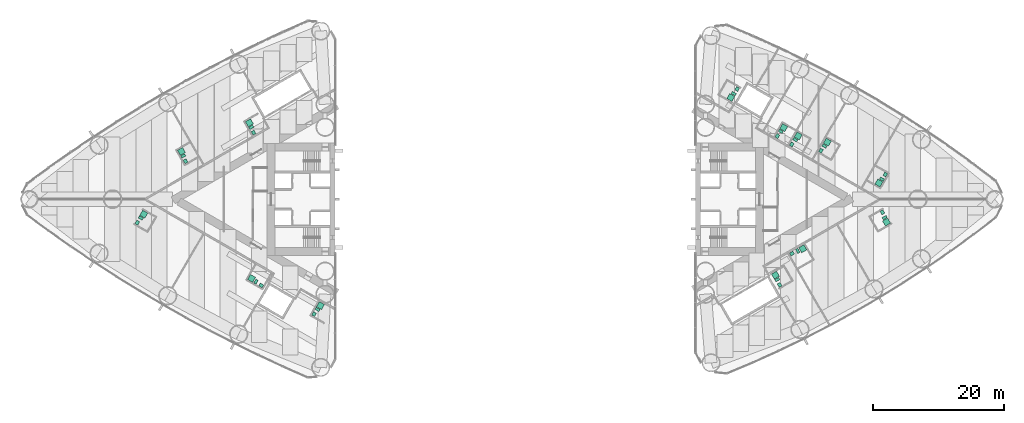
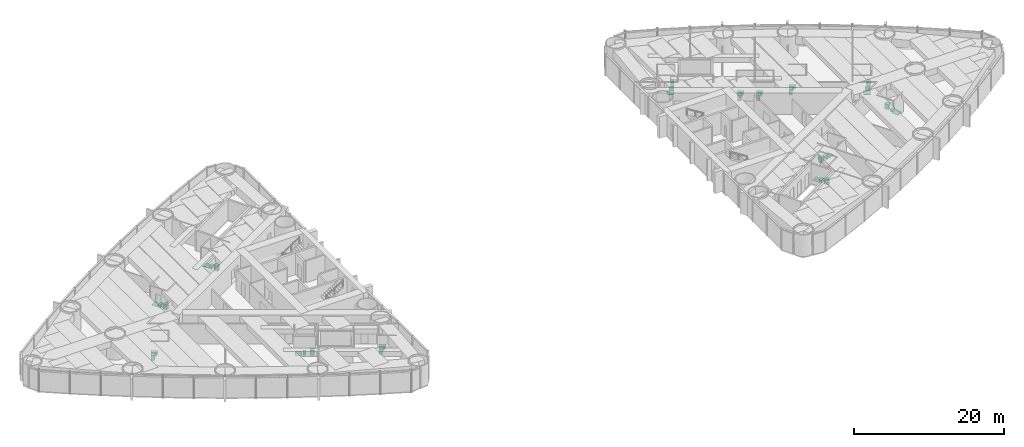
# One storey, part 19 of 19: 17 sanitary terminals.
"""IFC4 building model written with IfcOpenShell, lengths in metres."""

from ifc_helpers import new_model, si_unit, direction, frame, origin, origin_2d, place, context, subcontext, project, spatial, rectangle, extrude, material, type_object, element, save


model = new_model("IFC4")

# Units and contexts
model_context = context("Model", 3, precision=1e-05, world=origin(), true_north=direction((0.0, 1.0)))
body_context = subcontext(model_context, "Body", "Model", "MODEL_VIEW")
ifc_project = project(units=[si_unit("LENGTHUNIT", "METRE"), si_unit("AREAUNIT", "SQUARE_METRE"), si_unit("VOLUMEUNIT", "CUBIC_METRE"), si_unit("PLANEANGLEUNIT", "RADIAN"), si_unit("MASSUNIT", "GRAM", prefix="KILO")], contexts=[model_context])

# Site, building, storey
site_placement = place(None, origin())
site = spatial("IfcSite", under=ifc_project, at=site_placement, CompositionType="ELEMENT")
building_placement = place(site_placement, origin())
building = spatial("IfcBuilding", under=site, at=building_placement, Name="Lancet Gate Hotel", CompositionType="ELEMENT")
storey_placement = place(building_placement, frame((0.0, 0.0, 39.0)))
storey = spatial("IfcBuildingStorey", under=building, at=storey_placement, Name="L09", CompositionType="ELEMENT", Elevation=39.0)

# Sanitary terminals
ifc_material_1 = material(Name="Vitreous china sanitary ware")
sanitary_terminal_type_1 = type_object("IfcSanitaryTerminalType", Name="En-suite sanitary set (shower, WC, basin)", PredefinedType="USERDEFINED", material=ifc_material_1)
sanitary_terminal_1_placement = place(storey_placement, frame((-50.99169921875, 7.2958984375, 0.0), z_axis=(0.0, 0.0, 1.0), x_axis=(1.0, 0.0, 0.0)))
element("IfcSanitaryTerminal", 1, at=sanitary_terminal_1_placement, inside=storey, type_object=sanitary_terminal_type_1, Name="En-suite sanitary set (shower, WC, basin) 0903", ObjectType="EN-SUITE SANITARY SET", PredefinedType="USERDEFINED", context=body_context, shape_type="SweptSolid", body=[
    extrude(rectangle(XDim=0.89990234375, YDim=0.89990234375, at=origin_2d()), frame((0.0, 0.0, 0.0), z_axis=(0.0, 0.0, 1.0), x_axis=(-0.5, 0.866025403784, 0.0)), (0.0, 0.0, 1.0), 0.050048828125),
    extrude(rectangle(XDim=0.39990234375, YDim=0.699951171875, at=origin_2d()), frame((0.278564453125, -0.682373046875, 0.0), z_axis=(0.0, 0.0, 1.0), x_axis=(-0.5, 0.866025403784, 0.0)), (0.0, 0.0, 1.0), 0.39990234375),
    extrude(rectangle(XDim=0.60009765625, YDim=0.5, at=origin_2d()), frame((0.6318359375, -1.494384765625, 0.0), z_axis=(0.0, 0.0, 1.0), x_axis=(-0.5, 0.866025403784, 0.0)), (0.0, 0.0, 1.0), 0.85009765625),
])
sanitary_terminal_2_placement = place(storey_placement, frame((-56.745849609375, -2.28759765625, 0.0), z_axis=(0.0, 0.0, 1.0), x_axis=(1.0, 0.0, 0.0)))
element("IfcSanitaryTerminal", 2, at=sanitary_terminal_2_placement, inside=storey, type_object=sanitary_terminal_type_1, Name="En-suite sanitary set (shower, WC, basin) 0905", ObjectType="EN-SUITE SANITARY SET", PredefinedType="USERDEFINED", context=body_context, shape_type="SweptSolid", body=[
    extrude(rectangle(XDim=0.89990234375, YDim=0.89990234375, at=origin_2d()), frame((0.0, 0.0, 0.0), z_axis=(0.0, 0.0, 1.0), x_axis=(0.5, 0.866025403784, 0.0)), (0.0, 0.0, 1.0), 0.050048828125),
    extrude(rectangle(XDim=0.39990234375, YDim=0.699951171875, at=origin_2d()), frame((-0.45166015625, -0.582275390625, 0.0), z_axis=(0.0, 0.0, 1.0), x_axis=(0.5, 0.866025403784, 0.0)), (0.0, 0.0, 1.0), 0.39990234375),
    extrude(rectangle(XDim=0.60009765625, YDim=0.5, at=origin_2d()), frame((-0.978271484375, -1.29443359375, 0.0), z_axis=(0.0, 0.0, 1.0), x_axis=(0.5, 0.866025403784, 0.0)), (0.0, 0.0, 1.0), 0.85009765625),
])
sanitary_terminal_3_placement = place(storey_placement, frame((-40.609619140625, 11.673095703125, 0.0), z_axis=(0.0, 0.0, 1.0), x_axis=(1.0, 0.0, 0.0)))
element("IfcSanitaryTerminal", 3, at=sanitary_terminal_3_placement, inside=storey, type_object=sanitary_terminal_type_1, Name="En-suite sanitary set (shower, WC, basin) 0902", ObjectType="EN-SUITE SANITARY SET", PredefinedType="USERDEFINED", context=body_context, shape_type="SweptSolid", body=[
    extrude(rectangle(XDim=0.89990234375, YDim=0.89990234375, at=origin_2d()), frame((0.0, 0.0, 0.0), z_axis=(0.0, 0.0, 1.0), x_axis=(-0.5, 0.866025403784, 0.0)), (0.0, 0.0, 1.0), 0.050048828125),
    extrude(rectangle(XDim=0.39990234375, YDim=0.699951171875, at=origin_2d()), frame((0.2783203125, -0.68212890625, 0.0), z_axis=(0.0, 0.0, 1.0), x_axis=(-0.5, 0.866025403784, 0.0)), (0.0, 0.0, 1.0), 0.39990234375),
    extrude(rectangle(XDim=0.60009765625, YDim=0.5, at=origin_2d()), frame((0.6318359375, -1.494140625, 0.0), z_axis=(0.0, 0.0, 1.0), x_axis=(-0.5, 0.866025403784, 0.0)), (0.0, 0.0, 1.0), 0.85009765625),
])
sanitary_terminal_4_placement = place(storey_placement, frame((-29.751708984375, -16.256103515625, 0.0), z_axis=(0.0, 0.0, 1.0), x_axis=(1.0, 0.0, 0.0)))
element("IfcSanitaryTerminal", 4, at=sanitary_terminal_4_placement, inside=storey, type_object=sanitary_terminal_type_1, Name="En-suite sanitary set (shower, WC, basin) 0908", ObjectType="EN-SUITE SANITARY SET", PredefinedType="USERDEFINED", context=body_context, shape_type="SweptSolid", body=[
    extrude(rectangle(XDim=0.89990234375, YDim=0.89990234375, at=origin_2d()), frame((0.0, 0.0, 0.0), z_axis=(0.0, 0.0, 1.0), x_axis=(0.5, 0.866025403784, 0.0)), (0.0, 0.0, 1.0), 0.050048828125),
    extrude(rectangle(XDim=0.39990234375, YDim=0.699951171875, at=origin_2d()), frame((-0.45166015625, -0.582275390625, 0.0), z_axis=(0.0, 0.0, 1.0), x_axis=(0.5, 0.866025403784, 0.0)), (0.0, 0.0, 1.0), 0.39990234375),
    extrude(rectangle(XDim=0.60009765625, YDim=0.5, at=origin_2d()), frame((-0.978271484375, -1.29443359375, 0.0), z_axis=(0.0, 0.0, 1.0), x_axis=(0.5, 0.866025403784, 0.0)), (0.0, 0.0, 1.0), 0.85009765625),
])
sanitary_terminal_5_placement = place(storey_placement, frame((56.7138671875, -3.4921875, 0.0), z_axis=(0.0, 0.0, 1.0), x_axis=(1.0, 0.0, 0.0)))
element("IfcSanitaryTerminal", 5, at=sanitary_terminal_5_placement, inside=storey, type_object=sanitary_terminal_type_1, Name="En-suite sanitary set (shower, WC, basin) 0956", ObjectType="EN-SUITE SANITARY SET", PredefinedType="USERDEFINED", context=body_context, shape_type="SweptSolid", body=[
    extrude(rectangle(XDim=0.89990234375, YDim=0.89990234375, at=origin_2d()), frame((0.0, 0.0, 0.0), z_axis=(0.0, 0.0, 1.0), x_axis=(0.5, -0.866025403784, 0.0)), (0.0, 0.0, 1.0), 0.050048828125),
    extrude(rectangle(XDim=0.39990234375, YDim=0.699951171875, at=origin_2d()), frame((-0.278564453125, 0.682373046875, 0.0), z_axis=(0.0, 0.0, 1.0), x_axis=(0.5, -0.866025403784, 0.0)), (0.0, 0.0, 1.0), 0.39990234375),
    extrude(rectangle(XDim=0.60009765625, YDim=0.5, at=origin_2d()), frame((-0.6318359375, 1.494384765625, 0.0), z_axis=(0.0, 0.0, 1.0), x_axis=(0.5, -0.866025403784, 0.0)), (0.0, 0.0, 1.0), 0.85009765625),
])
sanitary_terminal_6_placement = place(storey_placement, frame((55.549560546875, 2.478515625, 0.0), z_axis=(0.0, 0.0, 1.0), x_axis=(1.0, 0.0, 0.0)))
element("IfcSanitaryTerminal", 6, at=sanitary_terminal_6_placement, inside=storey, type_object=sanitary_terminal_type_1, Name="En-suite sanitary set (shower, WC, basin) 0958", ObjectType="EN-SUITE SANITARY SET", PredefinedType="USERDEFINED", context=body_context, shape_type="SweptSolid", body=[
    extrude(rectangle(XDim=0.89990234375, YDim=0.89990234375, at=origin_2d()), frame((0.0, 0.0, 0.0), z_axis=(0.0, 0.0, 1.0), x_axis=(-0.5, -0.866025403784, 0.0)), (0.0, 0.0, 1.0), 0.050048828125),
    extrude(rectangle(XDim=0.39990234375, YDim=0.699951171875, at=origin_2d()), frame((0.45166015625, 0.58203125, 0.0), z_axis=(0.0, 0.0, 1.0), x_axis=(-0.5, -0.866025403784, 0.0)), (0.0, 0.0, 1.0), 0.39990234375),
    extrude(rectangle(XDim=0.60009765625, YDim=0.5, at=origin_2d()), frame((0.97802734375, 1.294189453125, 0.0), z_axis=(0.0, 0.0, 1.0), x_axis=(-0.5, -0.866025403784, 0.0)), (0.0, 0.0, 1.0), 0.85009765625),
])
sanitary_terminal_7_placement = place(storey_placement, frame((47.676513671875, 8.709716796875, 0.0), z_axis=(0.0, 0.0, 1.0), x_axis=(1.0, 0.0, 0.0)))
element("IfcSanitaryTerminal", 7, at=sanitary_terminal_7_placement, inside=storey, type_object=sanitary_terminal_type_1, Name="En-suite sanitary set (shower, WC, basin) 0959", ObjectType="EN-SUITE SANITARY SET", PredefinedType="USERDEFINED", context=body_context, shape_type="SweptSolid", body=[
    extrude(rectangle(XDim=0.89990234375, YDim=0.89990234375, at=origin_2d()), frame((0.0, 0.0, 0.0), z_axis=(0.0, 0.0, 1.0), x_axis=(0.5, 0.866025403784, 0.0)), (0.0, 0.0, 1.0), 0.050048828125),
    extrude(rectangle(XDim=0.39990234375, YDim=0.699951171875, at=origin_2d()), frame((-0.45166015625, -0.582275390625, 0.0), z_axis=(0.0, 0.0, 1.0), x_axis=(0.5, 0.866025403784, 0.0)), (0.0, 0.0, 1.0), 0.39990234375),
    extrude(rectangle(XDim=0.60009765625, YDim=0.5, at=origin_2d()), frame((-0.978271484375, -1.29443359375, 0.0), z_axis=(0.0, 0.0, 1.0), x_axis=(0.5, 0.866025403784, 0.0)), (0.0, 0.0, 1.0), 0.85009765625),
])
sanitary_terminal_8_placement = place(storey_placement, frame((43.220947265625, 9.66552734375, 0.0), z_axis=(0.0, 0.0, 1.0), x_axis=(1.0, 0.0, 0.0)))
element("IfcSanitaryTerminal", 8, at=sanitary_terminal_8_placement, inside=storey, type_object=sanitary_terminal_type_1, Name="En-suite sanitary set (shower, WC, basin) 0961", ObjectType="EN-SUITE SANITARY SET", PredefinedType="USERDEFINED", context=body_context, shape_type="SweptSolid", body=[
    extrude(rectangle(XDim=0.89990234375, YDim=0.89990234375, at=origin_2d()), frame((0.0, 0.0, 0.0), z_axis=(0.0, 0.0, 1.0), x_axis=(0.5, 0.866025403784, 0.0)), (0.0, 0.0, 1.0), 0.050048828125),
    extrude(rectangle(XDim=0.39990234375, YDim=0.699951171875, at=origin_2d()), frame((-0.45166015625, -0.58203125, 0.0), z_axis=(0.0, 0.0, 1.0), x_axis=(0.5, 0.866025403784, 0.0)), (0.0, 0.0, 1.0), 0.39990234375),
    extrude(rectangle(XDim=0.60009765625, YDim=0.5, at=origin_2d()), frame((-0.978271484375, -1.294189453125, 0.0), z_axis=(0.0, 0.0, 1.0), x_axis=(0.5, 0.866025403784, 0.0)), (0.0, 0.0, 1.0), 0.85009765625),
])
sanitary_terminal_9_placement = place(storey_placement, frame((41.0126953125, 10.940673828125, 0.0), z_axis=(0.0, 0.0, 1.0), x_axis=(1.0, 0.0, 0.0)))
element("IfcSanitaryTerminal", 9, at=sanitary_terminal_9_placement, inside=storey, type_object=sanitary_terminal_type_1, Name="En-suite sanitary set (shower, WC, basin) 0962", ObjectType="EN-SUITE SANITARY SET", PredefinedType="USERDEFINED", context=body_context, shape_type="SweptSolid", body=[
    extrude(rectangle(XDim=0.89990234375, YDim=0.89990234375, at=origin_2d()), frame((0.0, 0.0, 0.0), z_axis=(0.0, 0.0, 1.0), x_axis=(0.5, 0.866025403784, 0.0)), (0.0, 0.0, 1.0), 0.050048828125),
    extrude(rectangle(XDim=0.39990234375, YDim=0.699951171875, at=origin_2d()), frame((-0.45166015625, -0.582275390625, 0.0), z_axis=(0.0, 0.0, 1.0), x_axis=(0.5, 0.866025403784, 0.0)), (0.0, 0.0, 1.0), 0.39990234375),
    extrude(rectangle(XDim=0.60009765625, YDim=0.5, at=origin_2d()), frame((-0.978271484375, -1.29443359375, 0.0), z_axis=(0.0, 0.0, 1.0), x_axis=(0.5, 0.866025403784, 0.0)), (0.0, 0.0, 1.0), 0.85009765625),
])
sanitary_terminal_10_placement = place(storey_placement, frame((39.74853515625, -11.60107421875, 0.0), z_axis=(0.0, 0.0, 1.0), x_axis=(1.0, 0.0, 0.0)))
element("IfcSanitaryTerminal", 10, at=sanitary_terminal_10_placement, inside=storey, type_object=sanitary_terminal_type_1, Name="En-suite sanitary set (shower, WC, basin) 0953", ObjectType="EN-SUITE SANITARY SET", PredefinedType="USERDEFINED", context=body_context, shape_type="SweptSolid", body=[
    extrude(rectangle(XDim=0.89990234375, YDim=0.89990234375, at=origin_2d()), frame((0.0, 0.0, 0.0), z_axis=(0.0, 0.0, 1.0), x_axis=(-0.5, 0.866025403784, 0.0)), (0.0, 0.0, 1.0), 0.050048828125),
    extrude(rectangle(XDim=0.39990234375, YDim=0.699951171875, at=origin_2d()), frame((0.2783203125, -0.68212890625, 0.0), z_axis=(0.0, 0.0, 1.0), x_axis=(-0.5, 0.866025403784, 0.0)), (0.0, 0.0, 1.0), 0.39990234375),
    extrude(rectangle(XDim=0.60009765625, YDim=0.5, at=origin_2d()), frame((0.6318359375, -1.494384765625, 0.0), z_axis=(0.0, 0.0, 1.0), x_axis=(-0.5, 0.866025403784, 0.0)), (0.0, 0.0, 1.0), 0.85009765625),
])
sanitary_terminal_11_placement = place(storey_placement, frame((32.923828125, 15.541259765625, 0.0), z_axis=(0.0, 0.0, 1.0), x_axis=(1.0, 0.0, 0.0)))
element("IfcSanitaryTerminal", 11, at=sanitary_terminal_11_placement, inside=storey, type_object=sanitary_terminal_type_1, Name="En-suite sanitary set (shower, WC, basin) 0964", ObjectType="EN-SUITE SANITARY SET", PredefinedType="USERDEFINED", context=body_context, shape_type="SweptSolid", body=[
    extrude(rectangle(XDim=0.89990234375, YDim=0.89990234375, at=origin_2d()), frame((0.0, 0.0, 0.0), z_axis=(0.0, 0.0, 1.0), x_axis=(-0.5, -0.866025403784, 0.0)), (0.0, 0.0, 1.0), 0.050048828125),
    extrude(rectangle(XDim=0.39990234375, YDim=0.699951171875, at=origin_2d()), frame((0.45166015625, 0.582275390625, 0.0), z_axis=(0.0, 0.0, 1.0), x_axis=(-0.5, -0.866025403784, 0.0)), (0.0, 0.0, 1.0), 0.39990234375),
    extrude(rectangle(XDim=0.60009765625, YDim=0.5, at=origin_2d()), frame((0.978271484375, 1.29443359375, 0.0), z_axis=(0.0, 0.0, 1.0), x_axis=(-0.5, -0.866025403784, 0.0)), (0.0, 0.0, 1.0), 0.85009765625),
])
ifc_material_2 = material(Name="Stone resin shower tray", Category="masonry")
sanitary_terminal_type_2 = type_object("IfcSanitaryTerminalType", Name="Shower tray 900", PredefinedType="SHOWER", material=ifc_material_2)
for number, where, z_axis, x_axis, name in (
    (12, (-40.2763671875, -12.0966796875, 0.0), (0.0, 0.0, 1.0), (-0.866025403784, 0.5, 0.0), "Shower tray 900 0907"),
    (13, (43.928466796875, -7.5712890625, 0.0), (0.0, 0.0, 1.0), (0.866025403784, 0.5, 0.0), "Shower tray 900 0954"),
):
    element("IfcSanitaryTerminal", number, at=place(storey_placement, frame(where, z_axis=z_axis, x_axis=x_axis)), inside=storey, type_object=sanitary_terminal_type_2, Name=name, PredefinedType="SHOWER", context=body_context, shape_type="SweptSolid", body=[
        extrude(rectangle(XDim=0.89990234375, YDim=0.89990234375, at=origin_2d()), origin(), (0.0, 0.0, 1.0), 0.050048828125),
    ])
ifc_material_3 = material(Name="Vitreous china sanitary ware")
sanitary_terminal_type_3 = type_object("IfcSanitaryTerminalType", Name="Vanity basin 600", PredefinedType="WASHHANDBASIN", material=ifc_material_3)
for number, where, z_axis, x_axis, name in (
    (14, (-38.808837890625, -13.1748046875, 0.0), (0.0, 0.0, 1.0), (-0.866025403784, 0.5, 0.0), "Vanity basin 600 0907"),
    (15, (42.260986328125, -8.302978515625, 0.0), (0.0, 0.0, 1.0), (0.866025403784, 0.5, 0.0), "Vanity basin 600 0954"),
):
    element("IfcSanitaryTerminal", number, at=place(storey_placement, frame(where, z_axis=z_axis, x_axis=x_axis)), inside=storey, type_object=sanitary_terminal_type_3, Name=name, PredefinedType="WASHHANDBASIN", context=body_context, shape_type="SweptSolid", body=[
        extrude(rectangle(XDim=0.60009765625, YDim=0.5, at=origin_2d()), origin(), (0.0, 0.0, 1.0), 0.85009765625),
    ])
ifc_material_4 = material(Name="Vitreous china sanitary ware")
sanitary_terminal_type_4 = type_object("IfcSanitaryTerminalType", Name="WC pan wall hung", PredefinedType="TOILETPAN", material=ifc_material_4)
for number, where, z_axis, x_axis, name in (
    (16, (-39.607421875, -12.59814453125, 0.0), (0.0, 0.0, 1.0), (-0.866025403784, 0.5, 0.0), "WC pan wall hung 0907"),
    (17, (43.15966796875, -7.899658203125, 0.0), (0.0, 0.0, 1.0), (0.866025403784, 0.5, 0.0), "WC pan wall hung 0954"),
):
    element("IfcSanitaryTerminal", number, at=place(storey_placement, frame(where, z_axis=z_axis, x_axis=x_axis)), inside=storey, type_object=sanitary_terminal_type_4, Name=name, PredefinedType="TOILETPAN", context=body_context, shape_type="SweptSolid", body=[
        extrude(rectangle(XDim=0.39990234375, YDim=0.699951171875, at=origin_2d()), origin(), (0.0, 0.0, 1.0), 0.39990234375),
    ])

save(model, "model.ifc")
